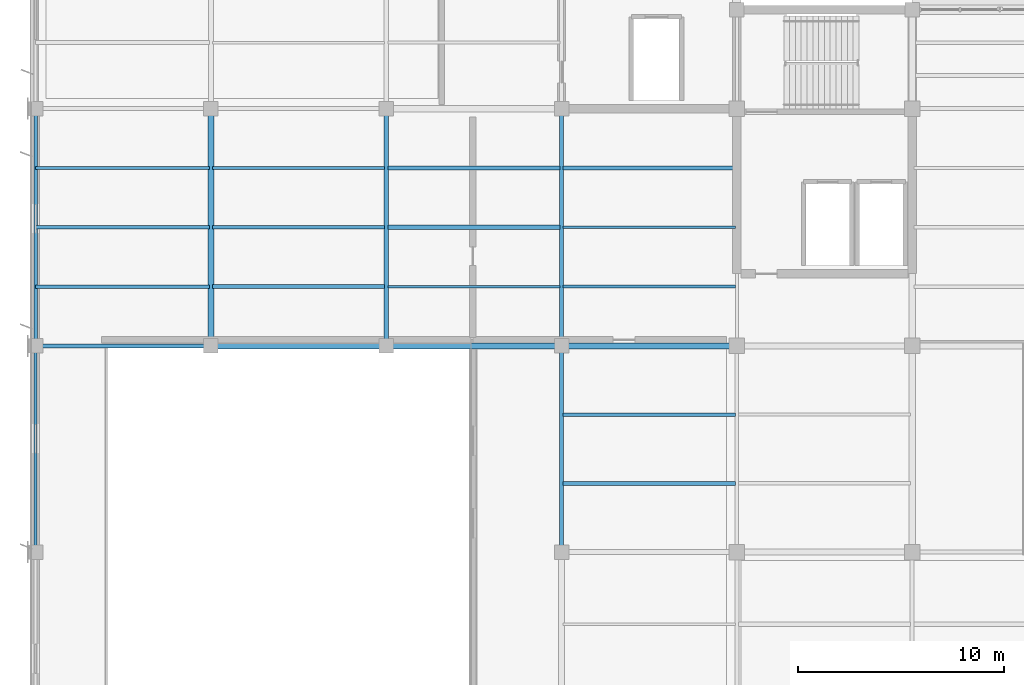
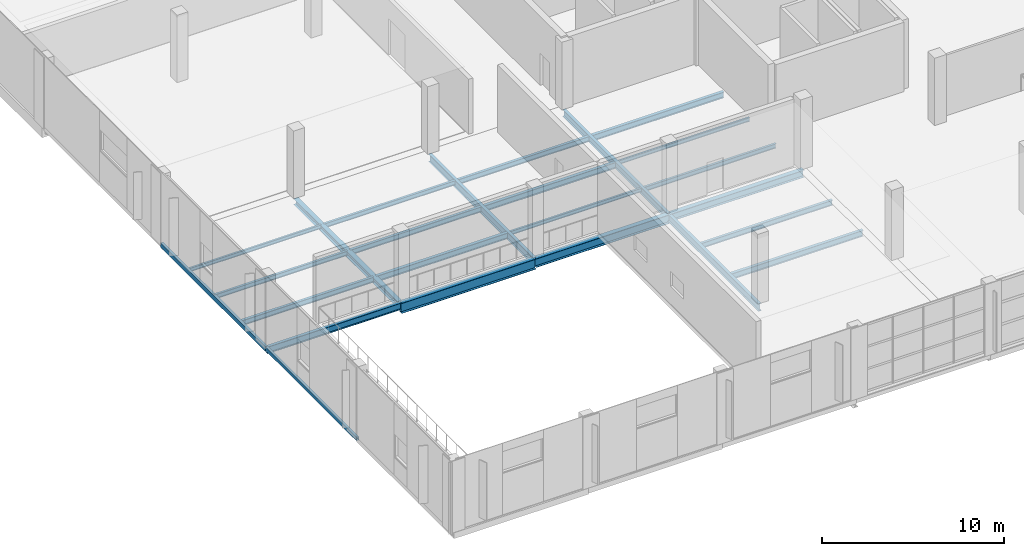
# One storey, part 9 of 101: 24 beams.
"""IFC4 building model written with IfcOpenShell, lengths in metres."""

import ifcopenshell
import ifcopenshell.guid

model = None  # the IFC model being written
_history = None  # IfcOwnerHistory: only IFC2X3 demands one
_inside = {}  # id of a spatial element -> (the spatial element, [elements in it])
_under = {}  # id of a project, library or spatial element -> (it, [spatial elements below it])
_declared = {}  # id of a project -> (the project, [libraries it declares])
_typed = {}  # id of a type object -> (the type object, [elements of that type])
_made_of = {}  # id of a material, layer set ... -> (it, [elements and type objects made of it])


def new_model(schema):
    """Start an empty IFC model of exactly this schema.

    Asked for "IFC4X3", IfcOpenShell would pick the latest addendum, in which some entities
    have other attributes; the version numbers below select the first issue.
    IFC2X3 requires an IfcOwnerHistory on every rooted entity: one is made here for all.
    """
    global model, _history
    if schema == "IFC4X3":
        model = ifcopenshell.file(schema_version=(4, 3, 0, 0))
    else:
        model = ifcopenshell.file(schema=schema)
    _inside.clear()
    _under.clear()
    _declared.clear()
    _typed.clear()
    _made_of.clear()
    _history = None
    if model.schema == "IFC2X3":
        org = make("IfcOrganization", Name="unknown")
        user = make(
            "IfcPersonAndOrganization",
            ThePerson=make("IfcPerson", FamilyName="unknown"),
            TheOrganization=org,
        )
        app = make(
            "IfcApplication",
            ApplicationDeveloper=org,
            Version="unknown",
            ApplicationFullName="unknown",
            ApplicationIdentifier="unknown",
        )
        _history = make(
            "IfcOwnerHistory",
            OwningUser=user,
            OwningApplication=app,
            ChangeAction="ADDED",
            CreationDate=0,
        )
    return model


def make(cls, **values):
    """One entity of the class cls with the attributes given. An attribute that is None is left unset."""
    return model.create_entity(
        cls, **{name: value for name, value in values.items() if value is not None}
    )


def rooted(cls, **values):
    """An entity with a GlobalId (a new one), such as an element, a storey or a relation."""
    return make(cls, GlobalId=ifcopenshell.guid.new(), OwnerHistory=_history, **values)


def si_unit(unit_type, name, prefix=None):
    """IfcSIUnit, for example si_unit("LENGTHUNIT", "METRE", prefix="MILLI")."""
    return make("IfcSIUnit", UnitType=unit_type, Prefix=prefix, Name=name)


def assignment(units):
    """IfcUnitAssignment: the units of a project."""
    return None if units is None else make("IfcUnitAssignment", Units=units)


def point(xyz):
    """IfcCartesianPoint."""
    return None if xyz is None else make("IfcCartesianPoint", Coordinates=xyz)


def direction(xyz):
    """IfcDirection."""
    return None if xyz is None else make("IfcDirection", DirectionRatios=xyz)


def frame(location, z_axis=None, x_axis=None):
    """IfcAxis2Placement3D, a coordinate frame: its origin and axes. An axis left out is left unset."""
    return make(
        "IfcAxis2Placement3D",
        Location=point(location),
        Axis=direction(z_axis),
        RefDirection=direction(x_axis),
    )


def frame_2d(location, x_axis=None):
    """IfcAxis2Placement2D, a coordinate frame in the plane: its origin and x axis."""
    return make(
        "IfcAxis2Placement2D", Location=point(location), RefDirection=direction(x_axis)
    )


def origin():
    """The frame at (0, 0, 0) with its axes left unset."""
    return frame((0.0, 0.0, 0.0))


def origin_2d():
    """The frame at (0, 0) in the plane with its x axis left unset."""
    return frame_2d((0.0, 0.0))


def place(relative_to, where):
    """IfcLocalPlacement: puts the frame where relative to a parent placement (None: the world)."""
    return make(
        "IfcLocalPlacement", PlacementRelTo=relative_to, RelativePlacement=where
    )


def context(
    kind, dimensions, precision=None, world=None, true_north=None, identifier=None
):
    """IfcGeometricRepresentationContext, for example the 3D "Model" context."""
    return make(
        "IfcGeometricRepresentationContext",
        ContextIdentifier=identifier,
        ContextType=kind,
        CoordinateSpaceDimension=dimensions,
        Precision=precision,
        WorldCoordinateSystem=world,
        TrueNorth=true_north,
    )


def subcontext(parent, identifier, kind, view, scale=None):
    """IfcGeometricRepresentationSubContext, for example "Body" below "Model"."""
    return make(
        "IfcGeometricRepresentationSubContext",
        ContextIdentifier=identifier,
        ContextType=kind,
        ParentContext=parent,
        TargetScale=scale,
        TargetView=view,
    )


def project(units=None, contexts=None):
    """IfcProject with its units and contexts."""
    return rooted(
        "IfcProject",
        Name="project",
        RepresentationContexts=contexts,
        UnitsInContext=assignment(units),
    )


def spatial(cls, under=None, at=None, **own):
    """A site, building, storey or space (cls), placed at a placement, below another one or the project."""
    s = rooted(cls, ObjectPlacement=at, **own)
    if under is not None:
        _under.setdefault(under.id(), (under, []))[1].append(s)
    return s


def profile(cls, at=None, kind="AREA", **sizes):
    """A parametric profile (cls). Its sizes go by their IFC names, for example OverallWidth=200.0."""
    return make(cls, ProfileType=kind, Position=at, **sizes)


def hollow_rectangle(**sizes):
    """IfcRectangleHollowProfileDef."""
    return profile("IfcRectangleHollowProfileDef", **sizes)


def i_section(**sizes):
    """IfcIShapeProfileDef."""
    return profile("IfcIShapeProfileDef", **sizes)


def extrude(swept, where, along, depth):
    """IfcExtrudedAreaSolid: the profile swept, set in the frame where, extruded along a direction by depth."""
    return make(
        "IfcExtrudedAreaSolid",
        SweptArea=swept,
        Position=where,
        ExtrudedDirection=direction(along),
        Depth=depth,
    )


def shape(context_of_items, identifier, shape_type, items):
    """IfcShapeRepresentation: the items that make up one representation, for example the "Body"."""
    return make(
        "IfcShapeRepresentation",
        ContextOfItems=context_of_items,
        RepresentationIdentifier=identifier,
        RepresentationType=shape_type,
        Items=items,
    )


def material(Name=None, Category=None):
    """IfcMaterial."""
    return make("IfcMaterial", Name=Name, Category=Category)


def material_profile(
    of_material, cross_section, Name=None, Category=None, Priority=None
):
    """IfcMaterialProfile: a cross section and its material."""
    return make(
        "IfcMaterialProfile",
        Name=Name,
        Material=of_material,
        Profile=cross_section,
        Priority=Priority,
        Category=Category,
    )


def profile_set(profiles, Name=None, composite=None):
    """IfcMaterialProfileSet."""
    return make(
        "IfcMaterialProfileSet",
        Name=Name,
        MaterialProfiles=profiles,
        CompositeProfile=composite,
    )


def made_of(thing, what):
    """Note that an element or type object is made of a material, layer set ...; save() writes the relation."""
    if what is not None:
        _made_of.setdefault(what.id(), (what, []))[1].append(thing)
    return thing


def type_object(cls, material=None, **own):
    """A type object (cls), such as IfcWallType, which elements share."""
    return made_of(rooted(cls, **own), material)


def element(
    cls,
    number,
    at=None,
    inside=None,
    cuts=None,
    type_object=None,
    material=None,
    context=None,
    identifier="Body",
    shape_type=None,
    held_by="IfcProductDefinitionShape",
    body=None,
    shapes=None,
    **own,
):
    """One element of the class cls, such as IfcWall. Its Tag is "e" and its number.

    at: its placement. inside: the storey or other place that contains it. cuts: it is an
    opening in that element (IfcRelVoidsElement). A single representation is given by context,
    identifier, shape_type and body (its items); several are given by shapes. held_by: the class
    of the entity that holds the representations. save() writes the other relations.
    """
    e = rooted(cls, Tag="e%d" % number, ObjectPlacement=at, **own)
    if body is not None:
        shapes = [shape(context, identifier, shape_type, body)]
    if shapes is not None:
        e.Representation = make(held_by, Representations=shapes)
    if inside is not None:
        _inside.setdefault(inside.id(), (inside, []))[1].append(e)
    if cuts is not None:
        rooted(
            "IfcRelVoidsElement", RelatingBuildingElement=cuts, RelatedOpeningElement=e
        )
    if type_object is not None:
        _typed.setdefault(type_object.id(), (type_object, []))[1].append(e)
    return made_of(e, material)


def aggregate(whole, parts):
    """IfcRelAggregates: a whole, such as a stair, and the parts it consists of."""
    return rooted("IfcRelAggregates", RelatingObject=whole, RelatedObjects=parts)


def save(model, path):
    """Write the relations noted so far, then the file.

    IfcRelAggregates (storeys below a building ...), IfcRelContainedInSpatialStructure (elements
    in a storey), IfcRelDefinesByType, IfcRelAssociatesMaterial and IfcRelDeclares: one each for
    every whole, place, type object, material and project.
    """
    for whole, parts in _under.values():
        aggregate(whole, parts)
    for where, things in _inside.values():
        rooted(
            "IfcRelContainedInSpatialStructure",
            RelatedElements=things,
            RelatingStructure=where,
        )
    for kind, things in _typed.values():
        rooted("IfcRelDefinesByType", RelatedObjects=things, RelatingType=kind)
    for what, things in _made_of.values():
        rooted("IfcRelAssociatesMaterial", RelatedObjects=things, RelatingMaterial=what)
    for by, libraries in _declared.values():
        rooted("IfcRelDeclares", RelatingContext=by, RelatedDefinitions=libraries)
    model.write(path)


model = new_model("IFC4")

# Units and contexts
model_context = context("Model", 3, precision=1e-05, world=origin(), true_north=direction((0.0, 1.0)))
body_context = subcontext(model_context, "Body", "Model", "MODEL_VIEW")
ifc_project = project(units=[si_unit("LENGTHUNIT", "METRE"), si_unit("AREAUNIT", "SQUARE_METRE"), si_unit("VOLUMEUNIT", "CUBIC_METRE"), si_unit("PLANEANGLEUNIT", "RADIAN"), si_unit("MASSUNIT", "GRAM", prefix="KILO")], contexts=[model_context])

# Site, building, storey
site_placement = place(None, origin())
site = spatial("IfcSite", under=ifc_project, at=site_placement, CompositionType="ELEMENT")
building_placement = place(site_placement, origin())
building = spatial("IfcBuilding", under=site, at=building_placement, Name="Solvikara Media Centre", CompositionType="ELEMENT")
storey_placement = place(building_placement, frame((0.0, 0.0, 10.199951171875)))
storey = spatial("IfcBuildingStorey", under=building, at=storey_placement, Name="L02", CompositionType="ELEMENT", Elevation=10.199951171875)

# Beams
ifc_material = material(Name="Steel S355JR", Category="steel")
ifc_material_profile_1 = material_profile(ifc_material, i_section(OverallWidth=0.199951171875, OverallDepth=0.5, WebThickness=0.010009765625, FlangeThickness=0.01611328125, at=origin_2d()), Name="WF 500x200x10x16")
ifc_profile_set_1 = profile_set([ifc_material_profile_1], Name="Steel S355JR")
beam_type_1 = type_object("IfcBeamType", Name="BM-19", PredefinedType="BEAM", material=ifc_profile_set_1)
beam_1_placement = place(storey_placement, frame((17.0, 20.5, -0.511962890625), z_axis=(0.0, 1.0, 0.0), x_axis=(-1.0, 0.0, 0.0)))
element("IfcBeam", 1, at=beam_1_placement, inside=storey, type_object=beam_type_1, Name="B-L02-Y0927", PredefinedType="BEAM", context=body_context, shape_type="SweptSolid", body=[
    extrude(i_section(OverallWidth=0.199951171875, OverallDepth=0.5, WebThickness=0.010009765625, FlangeThickness=0.01611328125, at=origin_2d()), origin(), (0.0, 0.0, 1.0), 11.5),
])
ifc_material_profile_2 = material_profile(ifc_material, i_section(OverallWidth=0.199951171875, OverallDepth=0.449951171875, WebThickness=0.009033203125, FlangeThickness=0.013916015625, at=origin_2d()), Name="WF 450x200x9x14")
ifc_profile_set_2 = profile_set([ifc_material_profile_2], Name="Steel S355JR")
beam_type_2 = type_object("IfcBeamType", Name="BM-20", PredefinedType="BEAM", material=ifc_profile_set_2)
beam_2_placement = place(storey_placement, frame((0.0, 20.5, -0.487060546875), z_axis=(1.0, 0.0, 0.0), x_axis=(0.0, 1.0, 0.0)))
element("IfcBeam", 2, at=beam_2_placement, inside=storey, type_object=beam_type_2, Name="B-L02-X0844", PredefinedType="BEAM", context=body_context, shape_type="SweptSolid", body=[
    extrude(i_section(OverallWidth=0.199951171875, OverallDepth=0.449951171875, WebThickness=0.009033203125, FlangeThickness=0.013916015625, at=origin_2d()), origin(), (0.0, 0.0, 1.0), 8.5),
])
ifc_material_profile_3 = material_profile(ifc_material, i_section(OverallWidth=0.199951171875, OverallDepth=0.39990234375, WebThickness=0.008056640625, FlangeThickness=0.012939453125, at=origin_2d()), Name="WF 400x200x8x13")
ifc_profile_set_3 = profile_set([ifc_material_profile_3], Name="Steel S355JR")
beam_type_3 = type_object("IfcBeamType", Name="BM-21", PredefinedType="JOIST", material=ifc_profile_set_3)
beam_3_placement = place(storey_placement, frame((25.577880859375, 29.125, -0.4619140625), z_axis=(1.0, 0.0, 0.0), x_axis=(0.0, 1.0, 0.0)))
element("IfcBeam", 3, at=beam_3_placement, inside=storey, type_object=beam_type_3, Name="J-L02-1081", PredefinedType="JOIST", context=body_context, shape_type="SweptSolid", body=[
    extrude(i_section(OverallWidth=0.199951171875, OverallDepth=0.39990234375, WebThickness=0.008056640625, FlangeThickness=0.012939453125, at=origin_2d()), origin(), (0.0, 0.0, 1.0), 8.34423828125),
])
ifc_material_profile_4 = material_profile(ifc_material, i_section(OverallWidth=0.125, OverallDepth=0.25, WebThickness=0.006103515625, FlangeThickness=0.009033203125, at=origin_2d()), Name="WF 250x125x6x9")
ifc_profile_set_4 = profile_set([ifc_material_profile_4], Name="Steel S355JR")
beam_type_4 = type_object("IfcBeamType", Name="BM-24", PredefinedType="JOIST", material=ifc_profile_set_4)
beam_4_placement = place(storey_placement, frame((17.077880859375, 23.375, -0.386962890625), z_axis=(1.0, 0.0, 0.0), x_axis=(0.0, 1.0, 0.0)))
element("IfcBeam", 4, at=beam_4_placement, inside=storey, type_object=beam_type_4, Name="J-L02-1052", PredefinedType="JOIST", context=body_context, shape_type="SweptSolid", body=[
    extrude(i_section(OverallWidth=0.125, OverallDepth=0.25, WebThickness=0.006103515625, FlangeThickness=0.009033203125, at=origin_2d()), origin(), (0.0, 0.0, 1.0), 8.34423828125),
])
ifc_material_profile_5 = material_profile(ifc_material, i_section(OverallWidth=0.300048828125, OverallDepth=0.69189453125, WebThickness=0.012939453125, FlangeThickness=0.02001953125, at=origin_2d()), Name="H 692x300x13x20")
ifc_profile_set_5 = profile_set([ifc_material_profile_5], Name="Steel S355JR")
beam_type_5 = type_object("IfcBeamType", Name="BM-25", PredefinedType="BEAM", material=ifc_profile_set_5)
beam_5_placement = place(storey_placement, frame((8.5, 20.5, -0.60791015625), z_axis=(1.0, 0.0, 0.0), x_axis=(0.0, 1.0, 0.0)))
element("IfcBeam", 5, at=beam_5_placement, inside=storey, type_object=beam_type_5, Name="B-L02-X0845", PredefinedType="BEAM", context=body_context, shape_type="SweptSolid", body=[
    extrude(i_section(OverallWidth=0.300048828125, OverallDepth=0.69189453125, WebThickness=0.012939453125, FlangeThickness=0.02001953125, at=origin_2d()), origin(), (0.0, 0.0, 1.0), 8.5),
])
ifc_material_profile_6 = material_profile(ifc_material, i_section(OverallWidth=0.300048828125, OverallDepth=0.587890625, WebThickness=0.011962890625, FlangeThickness=0.02001953125, at=origin_2d()), Name="H 588x300x12x20")
ifc_profile_set_6 = profile_set([ifc_material_profile_6], Name="Steel S355JR")
beam_type_6 = type_object("IfcBeamType", Name="BM-26", PredefinedType="BEAM", material=ifc_profile_set_6)
beam_6_placement = place(storey_placement, frame((17.0, 20.5, -0.555908203125), z_axis=(1.0, 0.0, 0.0), x_axis=(0.0, 1.0, 0.0)))
element("IfcBeam", 6, at=beam_6_placement, inside=storey, type_object=beam_type_6, Name="B-L02-X0846", PredefinedType="BEAM", context=body_context, shape_type="SweptSolid", body=[
    extrude(i_section(OverallWidth=0.300048828125, OverallDepth=0.587890625, WebThickness=0.011962890625, FlangeThickness=0.02001953125, at=origin_2d()), origin(), (0.0, 0.0, 1.0), 8.5),
])
ifc_material_profile_7 = material_profile(ifc_material, i_section(OverallWidth=0.300048828125, OverallDepth=0.488037109375, WebThickness=0.010986328125, FlangeThickness=0.01806640625, at=origin_2d()), Name="H 488x300x11x18")
ifc_profile_set_7 = profile_set([ifc_material_profile_7], Name="Steel S355JR")
beam_type_7 = type_object("IfcBeamType", Name="BM-27", PredefinedType="BEAM", material=ifc_profile_set_7)
beam_7_placement = place(storey_placement, frame((25.5, 20.5, -0.505859375), z_axis=(1.0, 0.0, 0.0), x_axis=(0.0, 1.0, 0.0)))
element("IfcBeam", 7, at=beam_7_placement, inside=storey, type_object=beam_type_7, Name="B-L02-X0847", PredefinedType="BEAM", context=body_context, shape_type="SweptSolid", body=[
    extrude(i_section(OverallWidth=0.300048828125, OverallDepth=0.488037109375, WebThickness=0.010986328125, FlangeThickness=0.01806640625, at=origin_2d()), origin(), (0.0, 0.0, 1.0), 8.5),
])
ifc_material_profile_8 = material_profile(ifc_material, i_section(OverallWidth=0.300048828125, OverallDepth=0.389892578125, WebThickness=0.010009765625, FlangeThickness=0.01611328125, at=origin_2d()), Name="H 390x300x10x16")
ifc_profile_set_8 = profile_set([ifc_material_profile_8], Name="Steel S355JR")
beam_type_8 = type_object("IfcBeamType", Name="BM-29", PredefinedType="BEAM", material=ifc_profile_set_8)
beam_8_placement = place(storey_placement, frame((8.5, 20.5, -0.45703125), z_axis=(0.0, 1.0, 0.0), x_axis=(-1.0, 0.0, 0.0)))
element("IfcBeam", 8, at=beam_8_placement, inside=storey, type_object=beam_type_8, Name="B-L02-Y0919", PredefinedType="BEAM", context=body_context, shape_type="SweptSolid", body=[
    extrude(i_section(OverallWidth=0.300048828125, OverallDepth=0.389892578125, WebThickness=0.010009765625, FlangeThickness=0.01611328125, at=origin_2d()), origin(), (0.0, 0.0, 1.0), 11.5),
])
ifc_material_profile_9 = material_profile(ifc_material, hollow_rectangle(XDim=0.14990234375, YDim=0.25, WallThickness=0.008056640625, at=origin_2d()), Name="RHS 250x150x8")
ifc_profile_set_9 = profile_set([ifc_material_profile_9], Name="Steel S355JR")
beam_type_9 = type_object("IfcBeamType", Name="BM-36", PredefinedType="JOIST", material=ifc_profile_set_9)
beam_9_placement = place(storey_placement, frame((0.0, 10.5, -0.386962890625), z_axis=(0.0, 1.0, 0.0), x_axis=(-1.0, 0.0, 0.0)))
element("IfcBeam", 9, at=beam_9_placement, inside=storey, type_object=beam_type_9, Name="B-L02-Y0910", PredefinedType="JOIST", context=body_context, shape_type="SweptSolid", body=[
    extrude(hollow_rectangle(XDim=0.14990234375, YDim=0.25, WallThickness=0.008056640625, at=origin_2d()), origin(), (0.0, 0.0, 1.0), 10.0),
])
ifc_material_profile_10 = material_profile(ifc_material, i_section(OverallWidth=0.198974609375, OverallDepth=0.39599609375, WebThickness=0.007080078125, FlangeThickness=0.010986328125, at=origin_2d()), Name="WF 396x199x7x11")
ifc_profile_set_10 = profile_set([ifc_material_profile_10], Name="Steel S355JR")
beam_type_10 = type_object("IfcBeamType", Name="BM-37", PredefinedType="JOIST", material=ifc_profile_set_10)
for number, where, z_axis, x_axis, name in (
    (10, (8.577880859375, 23.375, -0.4599609375), (1.0, 0.0, 0.0), (0.0, 1.0, 0.0), "J-L02-1029"),
    (11, (17.077880859375, 26.25, -0.4599609375), (1.0, 0.0, 0.0), (0.0, 1.0, 0.0), "J-L02-1053"),
    (12, (25.577880859375, 13.8330078125, -0.4599609375), (1.0, 0.0, 0.0), (0.0, 1.0, 0.0), "J-L02-1077"),
):
    element("IfcBeam", number, at=place(storey_placement, frame(where, z_axis=z_axis, x_axis=x_axis)), inside=storey, type_object=beam_type_10, Name=name, PredefinedType="JOIST", context=body_context, shape_type="SweptSolid", body=[
        extrude(i_section(OverallWidth=0.198974609375, OverallDepth=0.39599609375, WebThickness=0.007080078125, FlangeThickness=0.010986328125, at=origin_2d()), origin(), (0.0, 0.0, 1.0), 8.34423828125),
    ])
ifc_material_profile_11 = material_profile(ifc_material, i_section(OverallWidth=0.174072265625, OverallDepth=0.345947265625, WebThickness=0.006103515625, FlangeThickness=0.009033203125, at=origin_2d()), Name="WF 346x174x6x9")
ifc_profile_set_11 = profile_set([ifc_material_profile_11], Name="Steel S355JR")
beam_type_11 = type_object("IfcBeamType", Name="BM-38", PredefinedType="JOIST", material=ifc_profile_set_11)
beam_10_placement = place(storey_placement, frame((0.0, 23.375, -0.43505859375), z_axis=(1.0, 0.0, 0.0), x_axis=(0.0, 1.0, 0.0)))
element("IfcBeam", 13, at=beam_10_placement, inside=storey, type_object=beam_type_11, Name="J-L02-1006", PredefinedType="JOIST", context=body_context, shape_type="SweptSolid", body=[
    extrude(i_section(OverallWidth=0.174072265625, OverallDepth=0.345947265625, WebThickness=0.006103515625, FlangeThickness=0.009033203125, at=origin_2d()), origin(), (0.0, 0.0, 1.0), 8.422119140625),
])
for number, where, z_axis, x_axis, name in (
    (14, (8.577880859375, 26.25, -0.43505859375), (1.0, 0.0, 0.0), (0.0, 1.0, 0.0), "J-L02-1030"),
    (15, (17.077880859375, 29.125, -0.43505859375), (1.0, 0.0, 0.0), (0.0, 1.0, 0.0), "J-L02-1054"),
    (16, (25.577880859375, 17.1669921875, -0.43505859375), (1.0, 0.0, 0.0), (0.0, 1.0, 0.0), "J-L02-1078"),
):
    element("IfcBeam", number, at=place(storey_placement, frame(where, z_axis=z_axis, x_axis=x_axis)), inside=storey, type_object=beam_type_11, Name=name, PredefinedType="JOIST", context=body_context, shape_type="SweptSolid", body=[
        extrude(i_section(OverallWidth=0.174072265625, OverallDepth=0.345947265625, WebThickness=0.006103515625, FlangeThickness=0.009033203125, at=origin_2d()), origin(), (0.0, 0.0, 1.0), 8.34423828125),
    ])
ifc_material_profile_12 = material_profile(ifc_material, i_section(OverallWidth=0.14892578125, OverallDepth=0.298095703125, WebThickness=0.005615234375, FlangeThickness=0.008056640625, at=origin_2d()), Name="WF 298x149x5.5x8")
ifc_profile_set_12 = profile_set([ifc_material_profile_12], Name="Steel S355JR")
beam_type_12 = type_object("IfcBeamType", Name="BM-39", PredefinedType="JOIST", material=ifc_profile_set_12)
beam_11_placement = place(storey_placement, frame((0.0, 26.25, -0.410888671875), z_axis=(1.0, 0.0, 0.0), x_axis=(0.0, 1.0, 0.0)))
element("IfcBeam", 17, at=beam_11_placement, inside=storey, type_object=beam_type_12, Name="J-L02-1007", PredefinedType="JOIST", context=body_context, shape_type="SweptSolid", body=[
    extrude(i_section(OverallWidth=0.14892578125, OverallDepth=0.298095703125, WebThickness=0.005615234375, FlangeThickness=0.008056640625, at=origin_2d()), origin(), (0.0, 0.0, 1.0), 8.422119140625),
])
for number, where, z_axis, x_axis, name in (
    (18, (8.577880859375, 29.125, -0.410888671875), (1.0, 0.0, 0.0), (0.0, 1.0, 0.0), "J-L02-1031"),
    (19, (25.577880859375, 23.375, -0.410888671875), (1.0, 0.0, 0.0), (0.0, 1.0, 0.0), "J-L02-1079"),
):
    element("IfcBeam", number, at=place(storey_placement, frame(where, z_axis=z_axis, x_axis=x_axis)), inside=storey, type_object=beam_type_12, Name=name, PredefinedType="JOIST", context=body_context, shape_type="SweptSolid", body=[
        extrude(i_section(OverallWidth=0.14892578125, OverallDepth=0.298095703125, WebThickness=0.005615234375, FlangeThickness=0.008056640625, at=origin_2d()), origin(), (0.0, 0.0, 1.0), 8.34423828125),
    ])
ifc_material_profile_13 = material_profile(ifc_material, i_section(OverallWidth=0.1240234375, OverallDepth=0.248046875, WebThickness=0.0048828125, FlangeThickness=0.008056640625, at=origin_2d()), Name="WF 248x124x5x8")
ifc_profile_set_13 = profile_set([ifc_material_profile_13], Name="Steel S355JR")
beam_type_13 = type_object("IfcBeamType", Name="BM-40", PredefinedType="JOIST", material=ifc_profile_set_13)
beam_12_placement = place(storey_placement, frame((0.0, 29.125, -0.385986328125), z_axis=(1.0, 0.0, 0.0), x_axis=(0.0, 1.0, 0.0)))
element("IfcBeam", 20, at=beam_12_placement, inside=storey, type_object=beam_type_13, Name="J-L02-1008", PredefinedType="JOIST", context=body_context, shape_type="SweptSolid", body=[
    extrude(i_section(OverallWidth=0.1240234375, OverallDepth=0.248046875, WebThickness=0.0048828125, FlangeThickness=0.008056640625, at=origin_2d()), origin(), (0.0, 0.0, 1.0), 8.422119140625),
])
beam_13_placement = place(storey_placement, frame((25.577880859375, 26.25, -0.385986328125), z_axis=(1.0, 0.0, 0.0), x_axis=(0.0, 1.0, 0.0)))
element("IfcBeam", 21, at=beam_13_placement, inside=storey, type_object=beam_type_13, Name="J-L02-1080", PredefinedType="JOIST", context=body_context, shape_type="SweptSolid", body=[
    extrude(i_section(OverallWidth=0.1240234375, OverallDepth=0.248046875, WebThickness=0.0048828125, FlangeThickness=0.008056640625, at=origin_2d()), origin(), (0.0, 0.0, 1.0), 8.34423828125),
])
ifc_material_profile_14 = material_profile(ifc_material, i_section(OverallWidth=0.198974609375, OverallDepth=0.49609375, WebThickness=0.009033203125, FlangeThickness=0.013916015625, at=origin_2d()), Name="H 496x199x9x14")
ifc_profile_set_14 = profile_set([ifc_material_profile_14], Name="Steel S355JR")
beam_type_14 = type_object("IfcBeamType", Name="BM-42", PredefinedType="BEAM", material=ifc_profile_set_14)
beam_14_placement = place(storey_placement, frame((25.5, 10.5, -0.510009765625), z_axis=(0.0, 1.0, 0.0), x_axis=(-1.0, 0.0, 0.0)))
element("IfcBeam", 22, at=beam_14_placement, inside=storey, type_object=beam_type_14, Name="B-L02-Y0936", PredefinedType="BEAM", context=body_context, shape_type="SweptSolid", body=[
    extrude(i_section(OverallWidth=0.198974609375, OverallDepth=0.49609375, WebThickness=0.009033203125, FlangeThickness=0.013916015625, at=origin_2d()), origin(), (0.0, 0.0, 1.0), 10.0),
])
ifc_material_profile_15 = material_profile(ifc_material, i_section(OverallWidth=0.198974609375, OverallDepth=0.446044921875, WebThickness=0.008056640625, FlangeThickness=0.011962890625, at=origin_2d()), Name="H 446x199x8x12")
ifc_profile_set_15 = profile_set([ifc_material_profile_15], Name="Steel S355JR")
beam_type_15 = type_object("IfcBeamType", Name="BM-43", PredefinedType="BEAM", material=ifc_profile_set_15)
beam_15_placement = place(storey_placement, frame((25.5, 20.5, -0.48486328125), z_axis=(0.0, 1.0, 0.0), x_axis=(-1.0, 0.0, 0.0)))
element("IfcBeam", 23, at=beam_15_placement, inside=storey, type_object=beam_type_15, Name="B-L02-Y0937", PredefinedType="BEAM", context=body_context, shape_type="SweptSolid", body=[
    extrude(i_section(OverallWidth=0.198974609375, OverallDepth=0.446044921875, WebThickness=0.008056640625, FlangeThickness=0.011962890625, at=origin_2d()), origin(), (0.0, 0.0, 1.0), 11.5),
])
ifc_material_profile_16 = material_profile(ifc_material, hollow_rectangle(XDim=0.159912109375, YDim=0.320068359375, WallThickness=0.010009765625, at=origin_2d()), Name="RHS 320x160x10")
ifc_profile_set_16 = profile_set([ifc_material_profile_16], Name="Steel S355JR")
beam_type_16 = type_object("IfcBeamType", Name="BM-45", PredefinedType="SPANDREL", material=ifc_profile_set_16)
beam_16_placement = place(storey_placement, frame((0.0, 20.5, -0.421875), z_axis=(0.0, 1.0, 0.0), x_axis=(-1.0, 0.0, 0.0)))
element("IfcBeam", 24, at=beam_16_placement, inside=storey, type_object=beam_type_16, Name="B-L02-Y0911", PredefinedType="SPANDREL", context=body_context, shape_type="SweptSolid", body=[
    extrude(hollow_rectangle(XDim=0.159912109375, YDim=0.320068359375, WallThickness=0.010009765625, at=origin_2d()), origin(), (0.0, 0.0, 1.0), 11.5),
])

save(model, "model.ifc")
